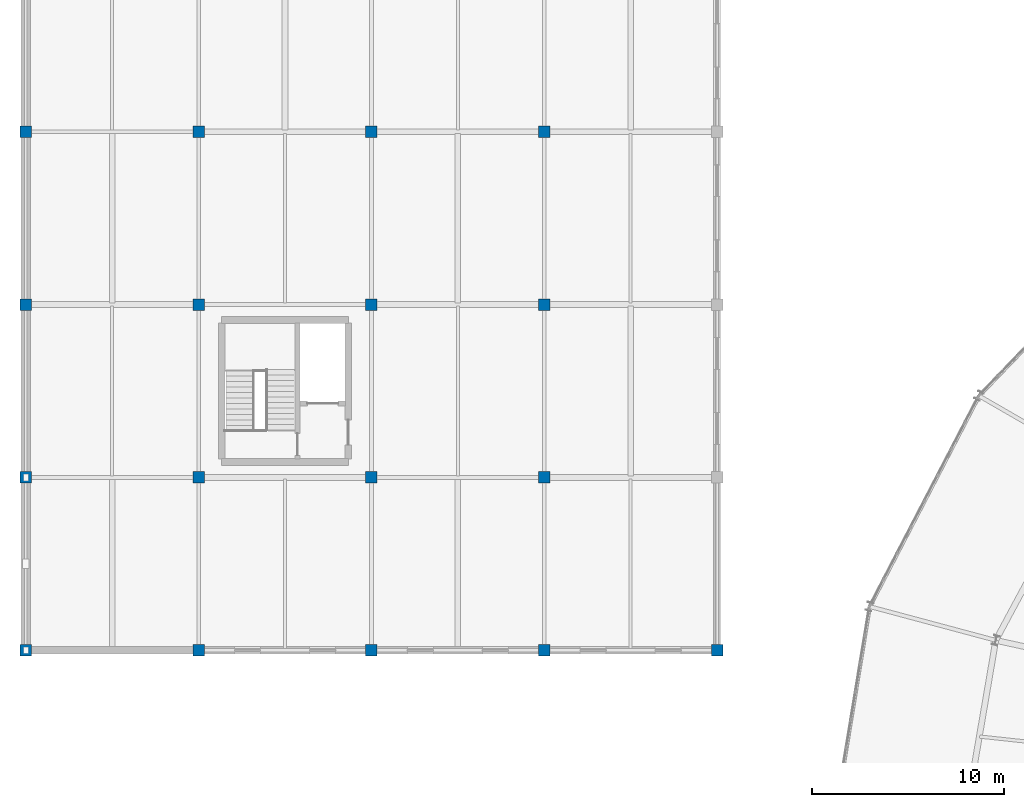
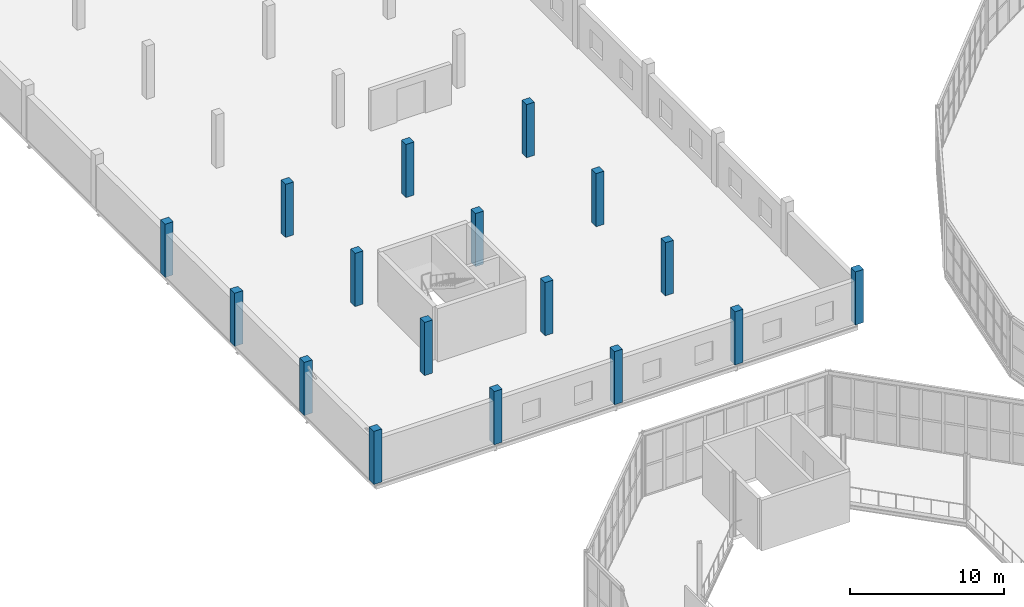
# One storey, part 11 of 161: 17 columns.
"""IFC4 building model written with IfcOpenShell, lengths in metres."""

from ifc_helpers import new_model, si_unit, direction, frame, origin, origin_2d, place, context, subcontext, project, spatial, rectangle, extrude, material, material_profile, profile_set, type_object, element, save


model = new_model("IFC4")

# Units and contexts
model_context = context("Model", 3, precision=1e-05, world=origin(), true_north=direction((0.0, 1.0)))
body_context = subcontext(model_context, "Body", "Model", "MODEL_VIEW")
ifc_project = project(units=[si_unit("LENGTHUNIT", "METRE"), si_unit("AREAUNIT", "SQUARE_METRE"), si_unit("VOLUMEUNIT", "CUBIC_METRE"), si_unit("PLANEANGLEUNIT", "RADIAN"), si_unit("MASSUNIT", "GRAM", prefix="KILO")], contexts=[model_context])

# Site, building, storey
site_placement = place(None, origin())
site = spatial("IfcSite", under=ifc_project, at=site_placement, CompositionType="ELEMENT")
building_placement = place(site_placement, origin())
building = spatial("IfcBuilding", under=site, at=building_placement, Name="Kildeholm Park Wholesale Market", CompositionType="ELEMENT")
storey_placement = place(building_placement, frame((0.0, 0.0, 5.39990234375)))
storey = spatial("IfcBuildingStorey", under=building, at=storey_placement, Name="L01", CompositionType="ELEMENT", Elevation=5.39990234375)

# Columns
ifc_material = material(Name="Concrete C40/50", Category="concrete")
ifc_material_profile = material_profile(ifc_material, rectangle(XDim=0.60009765625, YDim=0.60009765625, at=origin_2d()), Name="RC 600x600")
ifc_profile_set = profile_set([ifc_material_profile], Name="Concrete C40/50")
column_type = type_object("IfcColumnType", Name="Column C-R02 RC 600x600", PredefinedType="COLUMN", material=ifc_profile_set)
for number, where, z_axis, x_axis, name in (
    (1, (0.0, 99.0, 0.0), (0.0, 0.0, 1.0), (1.0, 0.0, 0.0), "Column V4-000-099 L01 COL-0330"),
    (2, (0.0, 108.0, 0.0), (0.0, 0.0, 1.0), (1.0, 0.0, 0.0), "Column V4-000-108 L01 COL-0333"),
    (3, (0.0, 117.0, 0.0), (0.0, 0.0, 1.0), (1.0, 0.0, 0.0), "Column V4-000-117 L01 COL-0336"),
    (4, (0.0, 126.0, 0.0), (0.0, 0.0, 1.0), (1.0, 0.0, 0.0), "Column V4-000-126 L01 COL-0339"),
    (5, (9.0, 99.0, 0.0), (0.0, 0.0, 1.0), (1.0, 0.0, 0.0), "Column V4-009-099 L01 COL-0357"),
    (6, (9.0, 108.0, 0.0), (0.0, 0.0, 1.0), (1.0, 0.0, 0.0), "Column V4-009-108 L01 COL-0360"),
    (7, (9.0, 117.0, 0.0), (0.0, 0.0, 1.0), (1.0, 0.0, 0.0), "Column V4-009-117 L01 COL-0363"),
    (8, (9.0, 126.0, 0.0), (0.0, 0.0, 1.0), (1.0, 0.0, 0.0), "Column V4-009-126 L01 COL-0366"),
    (9, (18.0, 99.0, 0.0), (0.0, 0.0, 1.0), (1.0, 0.0, 0.0), "Column V4-018-099 L01 COL-0384"),
    (10, (18.0, 108.0, 0.0), (0.0, 0.0, 1.0), (1.0, 0.0, 0.0), "Column V4-018-108 L01 COL-0387"),
    (11, (18.0, 117.0, 0.0), (0.0, 0.0, 1.0), (1.0, 0.0, 0.0), "Column V4-018-117 L01 COL-0390"),
    (12, (18.0, 126.0, 0.0), (0.0, 0.0, 1.0), (1.0, 0.0, 0.0), "Column V4-018-126 L01 COL-0393"),
    (13, (27.0, 99.0, 0.0), (0.0, 0.0, 1.0), (1.0, 0.0, 0.0), "Column V4-027-099 L01 COL-0411"),
    (14, (27.0, 108.0, 0.0), (0.0, 0.0, 1.0), (1.0, 0.0, 0.0), "Column V4-027-108 L01 COL-0414"),
    (15, (27.0, 117.0, 0.0), (0.0, 0.0, 1.0), (1.0, 0.0, 0.0), "Column V4-027-117 L01 COL-0417"),
    (16, (27.0, 126.0, 0.0), (0.0, 0.0, 1.0), (1.0, 0.0, 0.0), "Column V4-027-126 L01 COL-0420"),
    (17, (36.0, 99.0, 0.0), (0.0, 0.0, 1.0), (1.0, 0.0, 0.0), "Column V4-036-099 L01 COL-0438"),
):
    element("IfcColumn", number, at=place(storey_placement, frame(where, z_axis=z_axis, x_axis=x_axis)), inside=storey, type_object=column_type, Name=name, PredefinedType="COLUMN", context=body_context, shape_type="SweptSolid", body=[
        extrude(rectangle(XDim=0.60009765625, YDim=0.60009765625, at=origin_2d()), origin(), (0.0, 0.0, 1.0), 4.2001953125),
    ])

save(model, "model.ifc")
